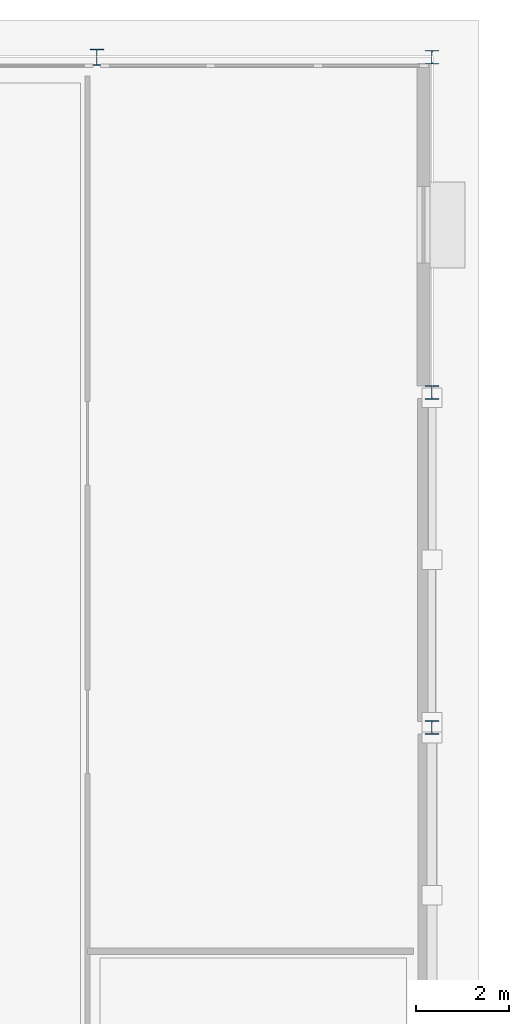
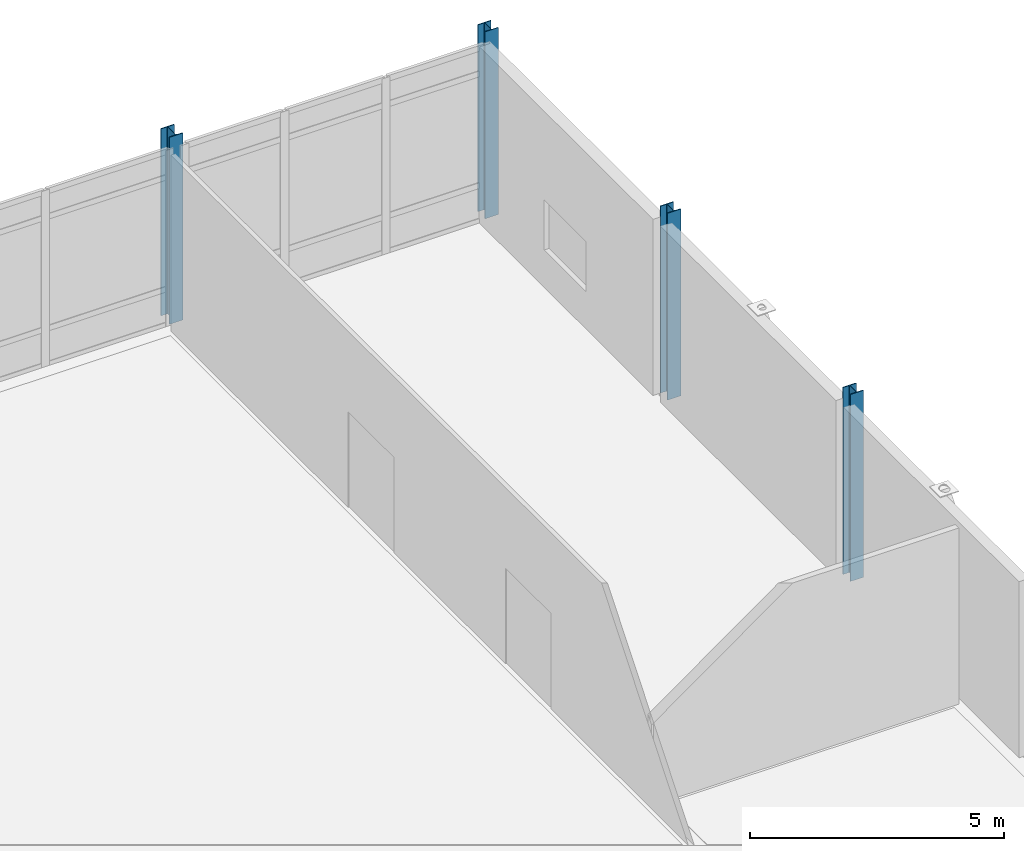
# One storey, part 8 of 58: 4 columns.
"""IFC4 building model written with IfcOpenShell, lengths in metres."""

import ifcopenshell
import ifcopenshell.guid

model = None  # the IFC model being written
_history = None  # IfcOwnerHistory: only IFC2X3 demands one
_inside = {}  # id of a spatial element -> (the spatial element, [elements in it])
_under = {}  # id of a project, library or spatial element -> (it, [spatial elements below it])
_declared = {}  # id of a project -> (the project, [libraries it declares])
_typed = {}  # id of a type object -> (the type object, [elements of that type])
_made_of = {}  # id of a material, layer set ... -> (it, [elements and type objects made of it])


def new_model(schema):
    """Start an empty IFC model of exactly this schema.

    Asked for "IFC4X3", IfcOpenShell would pick the latest addendum, in which some entities
    have other attributes; the version numbers below select the first issue.
    IFC2X3 requires an IfcOwnerHistory on every rooted entity: one is made here for all.
    """
    global model, _history
    if schema == "IFC4X3":
        model = ifcopenshell.file(schema_version=(4, 3, 0, 0))
    else:
        model = ifcopenshell.file(schema=schema)
    _inside.clear()
    _under.clear()
    _declared.clear()
    _typed.clear()
    _made_of.clear()
    _history = None
    if model.schema == "IFC2X3":
        org = make("IfcOrganization", Name="unknown")
        user = make(
            "IfcPersonAndOrganization",
            ThePerson=make("IfcPerson", FamilyName="unknown"),
            TheOrganization=org,
        )
        app = make(
            "IfcApplication",
            ApplicationDeveloper=org,
            Version="unknown",
            ApplicationFullName="unknown",
            ApplicationIdentifier="unknown",
        )
        _history = make(
            "IfcOwnerHistory",
            OwningUser=user,
            OwningApplication=app,
            ChangeAction="ADDED",
            CreationDate=0,
        )
    return model


def make(cls, **values):
    """One entity of the class cls with the attributes given. An attribute that is None is left unset."""
    return model.create_entity(
        cls, **{name: value for name, value in values.items() if value is not None}
    )


def rooted(cls, **values):
    """An entity with a GlobalId (a new one), such as an element, a storey or a relation."""
    return make(cls, GlobalId=ifcopenshell.guid.new(), OwnerHistory=_history, **values)


def si_unit(unit_type, name, prefix=None):
    """IfcSIUnit, for example si_unit("LENGTHUNIT", "METRE", prefix="MILLI")."""
    return make("IfcSIUnit", UnitType=unit_type, Prefix=prefix, Name=name)


def assignment(units):
    """IfcUnitAssignment: the units of a project."""
    return None if units is None else make("IfcUnitAssignment", Units=units)


def point(xyz):
    """IfcCartesianPoint."""
    return None if xyz is None else make("IfcCartesianPoint", Coordinates=xyz)


def direction(xyz):
    """IfcDirection."""
    return None if xyz is None else make("IfcDirection", DirectionRatios=xyz)


def frame(location, z_axis=None, x_axis=None):
    """IfcAxis2Placement3D, a coordinate frame: its origin and axes. An axis left out is left unset."""
    return make(
        "IfcAxis2Placement3D",
        Location=point(location),
        Axis=direction(z_axis),
        RefDirection=direction(x_axis),
    )


def frame_2d(location, x_axis=None):
    """IfcAxis2Placement2D, a coordinate frame in the plane: its origin and x axis."""
    return make(
        "IfcAxis2Placement2D", Location=point(location), RefDirection=direction(x_axis)
    )


def origin():
    """The frame at (0, 0, 0) with its axes left unset."""
    return frame((0.0, 0.0, 0.0))


def origin_2d():
    """The frame at (0, 0) in the plane with its x axis left unset."""
    return frame_2d((0.0, 0.0))


def place(relative_to, where):
    """IfcLocalPlacement: puts the frame where relative to a parent placement (None: the world)."""
    return make(
        "IfcLocalPlacement", PlacementRelTo=relative_to, RelativePlacement=where
    )


def context(
    kind, dimensions, precision=None, world=None, true_north=None, identifier=None
):
    """IfcGeometricRepresentationContext, for example the 3D "Model" context."""
    return make(
        "IfcGeometricRepresentationContext",
        ContextIdentifier=identifier,
        ContextType=kind,
        CoordinateSpaceDimension=dimensions,
        Precision=precision,
        WorldCoordinateSystem=world,
        TrueNorth=true_north,
    )


def subcontext(parent, identifier, kind, view, scale=None):
    """IfcGeometricRepresentationSubContext, for example "Body" below "Model"."""
    return make(
        "IfcGeometricRepresentationSubContext",
        ContextIdentifier=identifier,
        ContextType=kind,
        ParentContext=parent,
        TargetScale=scale,
        TargetView=view,
    )


def project(units=None, contexts=None):
    """IfcProject with its units and contexts."""
    return rooted(
        "IfcProject",
        Name="project",
        RepresentationContexts=contexts,
        UnitsInContext=assignment(units),
    )


def spatial(cls, under=None, at=None, **own):
    """A site, building, storey or space (cls), placed at a placement, below another one or the project."""
    s = rooted(cls, ObjectPlacement=at, **own)
    if under is not None:
        _under.setdefault(under.id(), (under, []))[1].append(s)
    return s


def profile(cls, at=None, kind="AREA", **sizes):
    """A parametric profile (cls). Its sizes go by their IFC names, for example OverallWidth=200.0."""
    return make(cls, ProfileType=kind, Position=at, **sizes)


def i_section(**sizes):
    """IfcIShapeProfileDef."""
    return profile("IfcIShapeProfileDef", **sizes)


def extrude(swept, where, along, depth):
    """IfcExtrudedAreaSolid: the profile swept, set in the frame where, extruded along a direction by depth."""
    return make(
        "IfcExtrudedAreaSolid",
        SweptArea=swept,
        Position=where,
        ExtrudedDirection=direction(along),
        Depth=depth,
    )


def shape(context_of_items, identifier, shape_type, items):
    """IfcShapeRepresentation: the items that make up one representation, for example the "Body"."""
    return make(
        "IfcShapeRepresentation",
        ContextOfItems=context_of_items,
        RepresentationIdentifier=identifier,
        RepresentationType=shape_type,
        Items=items,
    )


def material(Name=None, Category=None):
    """IfcMaterial."""
    return make("IfcMaterial", Name=Name, Category=Category)


def material_profile(
    of_material, cross_section, Name=None, Category=None, Priority=None
):
    """IfcMaterialProfile: a cross section and its material."""
    return make(
        "IfcMaterialProfile",
        Name=Name,
        Material=of_material,
        Profile=cross_section,
        Priority=Priority,
        Category=Category,
    )


def profile_set(profiles, Name=None, composite=None):
    """IfcMaterialProfileSet."""
    return make(
        "IfcMaterialProfileSet",
        Name=Name,
        MaterialProfiles=profiles,
        CompositeProfile=composite,
    )


def made_of(thing, what):
    """Note that an element or type object is made of a material, layer set ...; save() writes the relation."""
    if what is not None:
        _made_of.setdefault(what.id(), (what, []))[1].append(thing)
    return thing


def type_object(cls, material=None, **own):
    """A type object (cls), such as IfcWallType, which elements share."""
    return made_of(rooted(cls, **own), material)


def element(
    cls,
    number,
    at=None,
    inside=None,
    cuts=None,
    type_object=None,
    material=None,
    context=None,
    identifier="Body",
    shape_type=None,
    held_by="IfcProductDefinitionShape",
    body=None,
    shapes=None,
    **own,
):
    """One element of the class cls, such as IfcWall. Its Tag is "e" and its number.

    at: its placement. inside: the storey or other place that contains it. cuts: it is an
    opening in that element (IfcRelVoidsElement). A single representation is given by context,
    identifier, shape_type and body (its items); several are given by shapes. held_by: the class
    of the entity that holds the representations. save() writes the other relations.
    """
    e = rooted(cls, Tag="e%d" % number, ObjectPlacement=at, **own)
    if body is not None:
        shapes = [shape(context, identifier, shape_type, body)]
    if shapes is not None:
        e.Representation = make(held_by, Representations=shapes)
    if inside is not None:
        _inside.setdefault(inside.id(), (inside, []))[1].append(e)
    if cuts is not None:
        rooted(
            "IfcRelVoidsElement", RelatingBuildingElement=cuts, RelatedOpeningElement=e
        )
    if type_object is not None:
        _typed.setdefault(type_object.id(), (type_object, []))[1].append(e)
    return made_of(e, material)


def aggregate(whole, parts):
    """IfcRelAggregates: a whole, such as a stair, and the parts it consists of."""
    return rooted("IfcRelAggregates", RelatingObject=whole, RelatedObjects=parts)


def save(model, path):
    """Write the relations noted so far, then the file.

    IfcRelAggregates (storeys below a building ...), IfcRelContainedInSpatialStructure (elements
    in a storey), IfcRelDefinesByType, IfcRelAssociatesMaterial and IfcRelDeclares: one each for
    every whole, place, type object, material and project.
    """
    for whole, parts in _under.values():
        aggregate(whole, parts)
    for where, things in _inside.values():
        rooted(
            "IfcRelContainedInSpatialStructure",
            RelatedElements=things,
            RelatingStructure=where,
        )
    for kind, things in _typed.values():
        rooted("IfcRelDefinesByType", RelatedObjects=things, RelatingType=kind)
    for what, things in _made_of.values():
        rooted("IfcRelAssociatesMaterial", RelatedObjects=things, RelatingMaterial=what)
    for by, libraries in _declared.values():
        rooted("IfcRelDeclares", RelatingContext=by, RelatedDefinitions=libraries)
    model.write(path)


model = new_model("IFC4")

# Units and contexts
model_context = context("Model", 3, precision=1e-05, world=origin(), true_north=direction((0.0, 1.0)))
body_context = subcontext(model_context, "Body", "Model", "MODEL_VIEW")
ifc_project = project(units=[si_unit("LENGTHUNIT", "METRE"), si_unit("AREAUNIT", "SQUARE_METRE"), si_unit("VOLUMEUNIT", "CUBIC_METRE"), si_unit("PLANEANGLEUNIT", "RADIAN"), si_unit("MASSUNIT", "GRAM", prefix="KILO")], contexts=[model_context])

# Site, building, storey
site_placement = place(None, origin())
site = spatial("IfcSite", under=ifc_project, at=site_placement, CompositionType="ELEMENT")
building_placement = place(site_placement, origin())
building = spatial("IfcBuilding", under=site, at=building_placement, Name="Brisavento Harbour Community Centre", CompositionType="ELEMENT")
storey_placement = place(building_placement, origin())
storey = spatial("IfcBuildingStorey", under=building, at=storey_placement, Name="L00", CompositionType="ELEMENT", Elevation=0.0)

# Columns
ifc_material = material(Name="Steel S355", Category="steel")
ifc_material_profile_1 = material_profile(ifc_material, i_section(OverallWidth=0.300048828125, OverallDepth=0.300048828125, WebThickness=0.010986328125, FlangeThickness=0.01904296875, FilletRadius=0.027099609375, at=origin_2d()), Name="Steel S355")
ifc_profile_set_1 = profile_set([ifc_material_profile_1], Name="Steel S355")
column_type_1 = type_object("IfcColumnType", Name="COL-STL-HEB300", PredefinedType="COLUMN", material=ifc_profile_set_1)
for number, where, z_axis, x_axis, name in (
    (1, (172.800048828125, 100.800048828125, 0.0), (0.0, 0.0, 1.0), (1.0, 0.0, 0.0), "L00 column V4E-100"),
    (2, (172.800048828125, 108.0, 0.0), (0.0, 0.0, 1.0), (1.0, 0.0, 0.0), "L00 column V4E-108"),
    (3, (172.800048828125, 115.199951171875, 0.0), (0.0, 0.0, 1.0), (1.0, 0.0, 0.0), "L00 column V4E-115"),
):
    element("IfcColumn", number, at=place(storey_placement, frame(where, z_axis=z_axis, x_axis=x_axis)), inside=storey, type_object=column_type_1, Name=name, PredefinedType="COLUMN", context=body_context, shape_type="SweptSolid", body=[
        extrude(i_section(OverallWidth=0.300048828125, OverallDepth=0.300048828125, WebThickness=0.010986328125, FlangeThickness=0.01904296875, FilletRadius=0.027099609375, at=origin_2d()), origin(), (0.0, 0.0, 1.0), 4.5),
    ])
ifc_material_profile_2 = material_profile(ifc_material, i_section(OverallWidth=0.300048828125, OverallDepth=0.360107421875, WebThickness=0.012451171875, FlangeThickness=0.0224609375, FilletRadius=0.027099609375, at=origin_2d()), Name="Steel S355")
ifc_profile_set_2 = profile_set([ifc_material_profile_2], Name="Steel S355")
column_type_2 = type_object("IfcColumnType", Name="COL-STL-HEB360", PredefinedType="COLUMN", material=ifc_profile_set_2)
column_placement = place(storey_placement, frame((165.60009765625, 115.199951171875, 0.0), z_axis=(0.0, 0.0, 1.0), x_axis=(1.0, 0.0, 0.0)))
element("IfcColumn", 4, at=column_placement, inside=storey, type_object=column_type_2, Name="L00 column V4TN-7", PredefinedType="COLUMN", context=body_context, shape_type="SweptSolid", body=[
    extrude(i_section(OverallWidth=0.300048828125, OverallDepth=0.360107421875, WebThickness=0.012451171875, FlangeThickness=0.0224609375, FilletRadius=0.027099609375, at=origin_2d()), origin(), (0.0, 0.0, 1.0), 4.5),
])

save(model, "model.ifc")
